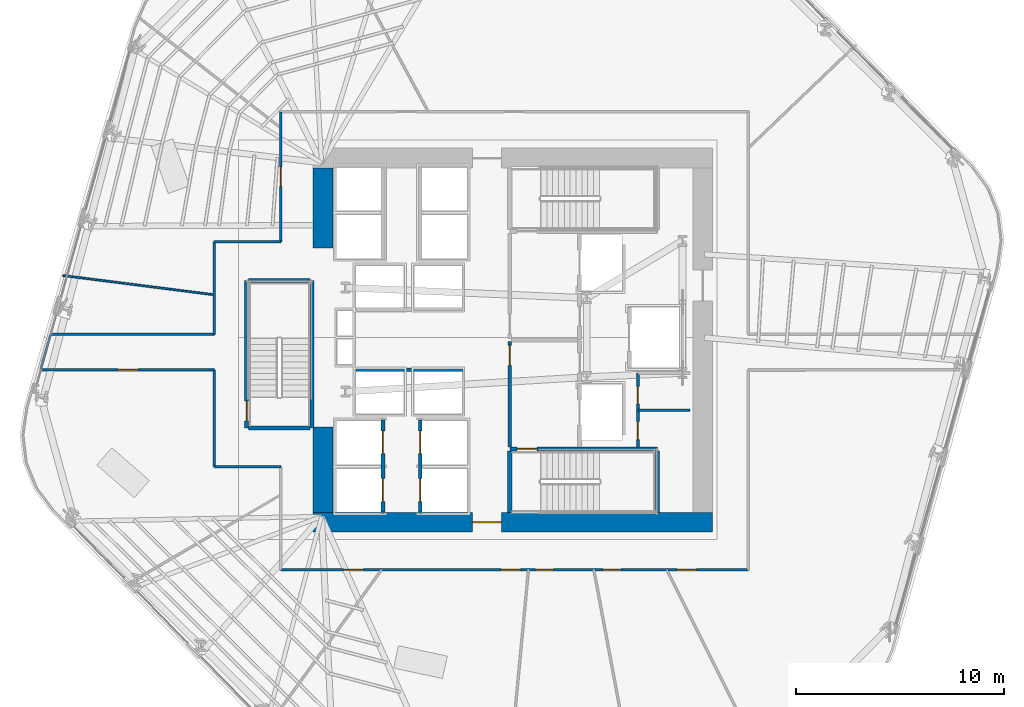
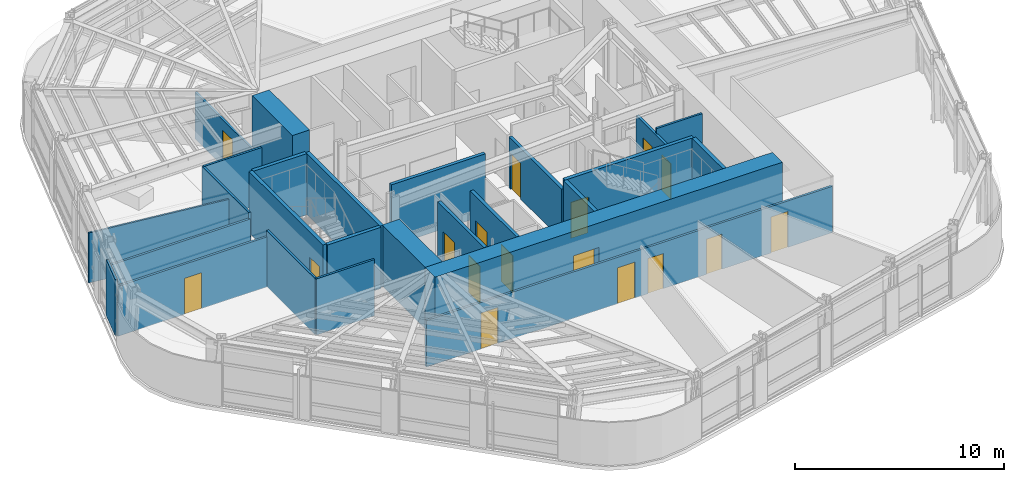
# One storey, part 9 of 17: 26 walls, 17 doors, 17 openings.
"""IFC4 building model written with IfcOpenShell, lengths in metres."""

from ifc_helpers import new_model, si_unit, direction, frame, frame_2d, origin, place, context, subcontext, project, spatial, rectangle, extrude, material, layer, layer_set, type_object, element, fill, save


model = new_model("IFC4")

# Units and contexts
model_context = context("Model", 3, precision=1e-05, world=origin(), true_north=direction((0.0, 1.0)))
body_context = subcontext(model_context, "Body", "Model", "MODEL_VIEW")
ifc_project = project(units=[si_unit("LENGTHUNIT", "METRE"), si_unit("AREAUNIT", "SQUARE_METRE"), si_unit("VOLUMEUNIT", "CUBIC_METRE"), si_unit("PLANEANGLEUNIT", "RADIAN"), si_unit("MASSUNIT", "GRAM", prefix="KILO")], contexts=[model_context])

# Site, building, storey
site_placement = place(None, origin())
site = spatial("IfcSite", under=ifc_project, at=site_placement, CompositionType="ELEMENT")
building_placement = place(site_placement, origin())
building = spatial("IfcBuilding", under=site, at=building_placement, Name="Valkerne Bourse Tower", CompositionType="ELEMENT")
storey_placement = place(building_placement, frame((0.0, 0.0, 85.800048828125)))
storey = spatial("IfcBuildingStorey", under=building, at=storey_placement, Name="L21", CompositionType="ELEMENT", Elevation=85.800048828125)

# Wall, opening, door
ifc_material_1 = material(Name="Concrete C70/85", Category="concrete")
ifc_layer_1 = layer(ifc_material_1, 0.949951171875)
ifc_layer_set_1 = layer_set([ifc_layer_1], Name="Concrete C70/85")
wall_type_1 = type_object("IfcWallType", Name="W-CORE-950", PredefinedType="SHEAR", material=ifc_layer_set_1)
wall_1_placement = place(storey_placement, frame((37.199951171875, 18.125, 0.0), z_axis=(0.0, 0.0, 1.0), x_axis=(1.0, 0.0, 0.0)))
wall_1 = element("IfcWall", 1, at=wall_1_placement, inside=storey, type_object=wall_type_1, Name="L21 Core Shear Wall SOUTH", PredefinedType="SHEAR", context=body_context, shape_type="SweptSolid", body=[
    extrude(rectangle(XDim=19.199951171875, YDim=0.949951171875, at=frame_2d((9.60009765625, 0.0))), origin(), (0.0, 0.0, 1.0), 3.579833984375),
])
opening_1_placement = place(wall_1_placement, frame((7.64990234375, 0.0, 0.0)))
opening_1 = element("IfcOpeningElement", 2, at=opening_1_placement, cuts=wall_1, Name="Opening D-PL-1400", PredefinedType="OPENING", context=body_context, shape_type="SweptSolid", body=[
    extrude(rectangle(XDim=1.39990234375, YDim=2.14990234375, at=frame_2d((0.699951171875, 1.074951171875))), frame((0.0, 0.48486328125, 0.0), z_axis=(0.0, -1.0, 0.0), x_axis=(1.0, 0.0, 0.0)), (0.0, 0.0, 1.0), 0.969970703125),
])
ifc_material_2 = material(Name="Galvanised Painted Steel", Category="steel")
door_type_1 = type_object("IfcDoorType", Name="DR-PLT-1400", OperationType="DOUBLE_DOOR_SINGLE_SWING", PredefinedType="DOOR", material=ifc_material_2)
door_1_placement = place(opening_1_placement, origin())
door_1 = element("IfcDoor", 3, at=door_1_placement, inside=storey, type_object=door_type_1, Name="L21 South Passenger Lift Hall Fire Door", OperationType="DOUBLE_DOOR_SINGLE_SWING", OverallHeight=2.14990234375, OverallWidth=1.39990234375, PredefinedType="DOOR", context=body_context, shape_type="SweptSolid", body=[
    extrude(rectangle(XDim=1.39990234375, YDim=2.14990234375, at=frame_2d((0.699951171875, 1.074951171875))), frame((0.0, 0.02490234375, 0.0), z_axis=(0.0, -1.0, 0.0), x_axis=(1.0, 0.0, 0.0)), (0.0, 0.0, 1.0), 0.050048828125),
])
fill(opening_1, door_1)

# Walls
wall_2_placement = place(storey_placement, frame((37.675048828125, 18.60009765625, 0.0), z_axis=(0.0, 0.0, 1.0), x_axis=(0.0, 1.0, 0.0)))
element("IfcWall", 4, at=wall_2_placement, inside=storey, type_object=wall_type_1, Name="L21 Core Shear Wall WEST-S", PredefinedType="SHEAR", context=body_context, shape_type="SweptSolid", body=[
    extrude(rectangle(XDim=4.099853515625, YDim=0.949951171875, at=frame_2d((2.0498046875, 0.0))), origin(), (0.0, 0.0, 1.0), 3.579833984375),
])
wall_3_placement = place(storey_placement, frame((37.675048828125, 31.300048828125, 0.0), z_axis=(0.0, 0.0, 1.0), x_axis=(0.0, 1.0, 0.0)))
element("IfcWall", 5, at=wall_3_placement, inside=storey, type_object=wall_type_1, Name="L21 Core Shear Wall WEST-N", PredefinedType="SHEAR", context=body_context, shape_type="SweptSolid", body=[
    extrude(rectangle(XDim=3.849853515625, YDim=0.949951171875, at=frame_2d((1.9248046875, 0.0))), origin(), (0.0, 0.0, 1.0), 3.579833984375),
])
ifc_material_3 = material(Name="Gypsum Board Steel-Stud Partition", Category="steel")
ifc_layer_2 = layer(ifc_material_3, 0.117919921875)
ifc_layer_set_2 = layer_set([ifc_layer_2], Name="Gypsum Board Steel-Stud Partition")
wall_type_2 = type_object("IfcWallType", Name="W-CORR-140", PredefinedType="PARTITIONING", material=ifc_layer_set_2)
wall_4_placement = place(storey_placement, frame((52.800048828125, 23.510009765625, 0.0), z_axis=(0.0, 0.0, 1.0), x_axis=(1.0, 0.0, 0.0)))
element("IfcWall", 6, at=wall_4_placement, inside=storey, type_object=wall_type_2, Name="L21 Core SE Dual Divider", PredefinedType="PARTITIONING", context=body_context, shape_type="SweptSolid", body=[
    extrude(rectangle(XDim=2.52001953125, YDim=0.117919921875, at=frame_2d((1.260009765625, 0.0))), origin(), (0.0, 0.0, 1.0), 3.280029296875),
])

# Wall, openings, doors
wall_5_placement = place(storey_placement, frame((58.10009765625, 15.85009765625, 0.0), z_axis=(0.0, 0.0, 1.0), x_axis=(-1.0, 0.0, 0.0)))
wall_5 = element("IfcWall", 7, at=wall_5_placement, inside=storey, type_object=wall_type_2, Name="L21 Corridor Enclosure Wall", PredefinedType="PARTITIONING", context=body_context, shape_type="SweptSolid", body=[
    extrude(rectangle(XDim=22.4501953125, YDim=0.117919921875, at=frame_2d((11.22509765625, 0.0))), origin(), (0.0, 0.0, 1.0), 2.71142578125),
])
opening_2_placement = place(wall_5_placement, frame((6.114990234375, 0.0, 0.0)))
opening_2 = element("IfcOpeningElement", 8, at=opening_2_placement, cuts=wall_5, Name="Opening D-WC-900", PredefinedType="OPENING", context=body_context, shape_type="SweptSolid", body=[
    extrude(rectangle(XDim=0.860107421875, YDim=2.050048828125, at=frame_2d((0.43017578125, 1.02490234375))), frame((0.0, 0.06884765625, 0.0), z_axis=(0.0, -1.0, 0.0), x_axis=(1.0, 0.0, 0.0)), (0.0, 0.0, 1.0), 0.137939453125),
])
opening_3_placement = place(wall_5_placement, frame((9.35498046875, 0.0, 0.0)))
opening_3 = element("IfcOpeningElement", 9, at=opening_3_placement, cuts=wall_5, Name="Opening D-WC-900", PredefinedType="OPENING", context=body_context, shape_type="SweptSolid", body=[
    extrude(rectangle(XDim=0.860107421875, YDim=2.050048828125, at=frame_2d((0.43017578125, 1.02490234375))), frame((0.0, 0.06884765625, 0.0), z_axis=(0.0, -1.0, 0.0), x_axis=(1.0, 0.0, 0.0)), (0.0, 0.0, 1.0), 0.137939453125),
])
opening_4_placement = place(wall_5_placement, frame((18.489990234375, 0.0, 0.0)))
opening_4 = element("IfcOpeningElement", 10, at=opening_4_placement, cuts=wall_5, Name="Opening D-OF-950", PredefinedType="OPENING", context=body_context, shape_type="SweptSolid", body=[
    extrude(rectangle(XDim=0.949951171875, YDim=2.10009765625, at=frame_2d((0.47509765625, 1.050048828125))), frame((0.0, 0.06884765625, 0.0), z_axis=(0.0, -1.0, 0.0), x_axis=(1.0, 0.0, 0.0)), (0.0, 0.0, 1.0), 0.137939453125),
])
opening_5_placement = place(wall_5_placement, frame((10.929931640625, 0.0, 0.0)))
opening_5 = element("IfcOpeningElement", 11, at=opening_5_placement, cuts=wall_5, Name="Opening D-OF-950", PredefinedType="OPENING", context=body_context, shape_type="SweptSolid", body=[
    extrude(rectangle(XDim=0.949951171875, YDim=2.10009765625, at=frame_2d((0.47509765625, 1.050048828125))), frame((0.0, 0.06884765625, 0.0), z_axis=(0.0, -1.0, 0.0), x_axis=(1.0, 0.0, 0.0)), (0.0, 0.0, 1.0), 0.137939453125),
])
opening_6_placement = place(wall_5_placement, frame((2.469970703125, 0.0, 0.0)))
opening_6 = element("IfcOpeningElement", 12, at=opening_6_placement, cuts=wall_5, Name="Opening D-OF-950", PredefinedType="OPENING", context=body_context, shape_type="SweptSolid", body=[
    extrude(rectangle(XDim=0.949951171875, YDim=2.10009765625, at=frame_2d((0.47509765625, 1.050048828125))), frame((0.0, 0.06884765625, 0.0), z_axis=(0.0, -1.0, 0.0), x_axis=(1.0, 0.0, 0.0)), (0.0, 0.0, 1.0), 0.137939453125),
])
ifc_material_4 = material(Name="Architectural White Oak Timber", Category="wood")
door_type_2 = type_object("IfcDoorType", Name="DR-OFF-950", OperationType="NOTDEFINED", PredefinedType="DOOR", material=ifc_material_4)
door_2_placement = place(opening_4_placement, origin())
door_2 = element("IfcDoor", 13, at=door_2_placement, inside=storey, type_object=door_type_2, Name="L21 L21 Hospitality Catering Kitchen 3 Door", OperationType="SINGLE_SWING_LEFT", OverallHeight=2.10009765625, OverallWidth=0.949951171875, PredefinedType="DOOR", context=body_context, shape_type="SweptSolid", body=[
    extrude(rectangle(XDim=0.949951171875, YDim=2.10009765625, at=frame_2d((0.47509765625, 1.050048828125))), frame((0.0, 0.02490234375, 0.0), z_axis=(0.0, -1.0, 0.0), x_axis=(1.0, 0.0, 0.0)), (0.0, 0.0, 1.0), 0.050048828125),
])
fill(opening_4, door_2)
door_3_placement = place(opening_5_placement, origin())
door_3 = element("IfcDoor", 14, at=door_3_placement, inside=storey, type_object=door_type_2, Name="L21 L21 Executive Economics Study Room 7 Door", OperationType="SINGLE_SWING_LEFT", OverallHeight=2.10009765625, OverallWidth=0.949951171875, PredefinedType="DOOR", context=body_context, shape_type="SweptSolid", body=[
    extrude(rectangle(XDim=0.949951171875, YDim=2.10009765625, at=frame_2d((0.47509765625, 1.050048828125))), frame((0.0, 0.02490234375, 0.0), z_axis=(0.0, -1.0, 0.0), x_axis=(1.0, 0.0, 0.0)), (0.0, 0.0, 1.0), 0.050048828125),
])
fill(opening_5, door_3)
door_4_placement = place(opening_6_placement, origin())
door_4 = element("IfcDoor", 15, at=door_4_placement, inside=storey, type_object=door_type_2, Name="L21 L21 Occupational Wellness Clinic 9 Door", OperationType="SINGLE_SWING_RIGHT", OverallHeight=2.10009765625, OverallWidth=0.949951171875, PredefinedType="DOOR", context=body_context, shape_type="SweptSolid", body=[
    extrude(rectangle(XDim=0.949951171875, YDim=2.10009765625, at=frame_2d((0.47509765625, 1.050048828125))), frame((0.0, 0.02490234375, 0.0), z_axis=(0.0, -1.0, 0.0), x_axis=(1.0, 0.0, 0.0)), (0.0, 0.0, 1.0), 0.050048828125),
])
fill(opening_6, door_4)
door_type_3 = type_object("IfcDoorType", Name="DR-WC-900", OperationType="NOTDEFINED", PredefinedType="DOOR", material=ifc_material_4)
door_5_placement = place(opening_2_placement, origin())
door_5 = element("IfcDoor", 16, at=door_5_placement, inside=storey, type_object=door_type_3, Name="L21 L21 Men Bathroom WC 1 Door", OperationType="SINGLE_SWING_RIGHT", OverallHeight=2.050048828125, OverallWidth=0.860107421875, PredefinedType="DOOR", context=body_context, shape_type="SweptSolid", body=[
    extrude(rectangle(XDim=0.860107421875, YDim=2.050048828125, at=frame_2d((0.43017578125, 1.02490234375))), frame((0.0, 0.02490234375, 0.0), z_axis=(0.0, -1.0, 0.0), x_axis=(1.0, 0.0, 0.0)), (0.0, 0.0, 1.0), 0.050048828125),
])
fill(opening_2, door_5)
door_6_placement = place(opening_3_placement, origin())
door_6 = element("IfcDoor", 17, at=door_6_placement, inside=storey, type_object=door_type_3, Name="L21 L21 Women Restroom & Shower WC 2 Door", OperationType="SINGLE_SWING_LEFT", OverallHeight=2.050048828125, OverallWidth=0.860107421875, PredefinedType="DOOR", context=body_context, shape_type="SweptSolid", body=[
    extrude(rectangle(XDim=0.860107421875, YDim=2.050048828125, at=frame_2d((0.43017578125, 1.02490234375))), frame((0.0, 0.02490234375, 0.0), z_axis=(0.0, -1.0, 0.0), x_axis=(1.0, 0.0, 0.0)), (0.0, 0.0, 1.0), 0.050048828125),
])
fill(opening_3, door_6)

# Walls
wall_6_placement = place(storey_placement, frame((35.64990234375, 20.800048828125, 0.0), z_axis=(0.0, 0.0, 1.0), x_axis=(-1.0, 0.0, 0.0)))
element("IfcWall", 18, at=wall_6_placement, inside=storey, type_object=wall_type_2, Name="L21 Corridor Enclosure Wall", PredefinedType="PARTITIONING", context=body_context, shape_type="SweptSolid", body=[
    extrude(rectangle(XDim=3.199951171875, YDim=0.117919921875, at=frame_2d((1.60009765625, 0.0))), origin(), (0.0, 0.0, 1.0), 3.280029296875),
])
wall_7_placement = place(storey_placement, frame((32.449951171875, 20.800048828125, 0.0), z_axis=(0.0, 0.0, 1.0), x_axis=(0.0, 1.0, 0.0)))
element("IfcWall", 19, at=wall_7_placement, inside=storey, type_object=wall_type_2, Name="L21 Corridor Enclosure Wall", PredefinedType="PARTITIONING", context=body_context, shape_type="SweptSolid", body=[
    extrude(rectangle(XDim=4.64990234375, YDim=0.117919921875, at=frame_2d((2.324951171875, 0.0))), origin(), (0.0, 0.0, 1.0), 3.280029296875),
])

# Wall, opening, door
wall_8_placement = place(storey_placement, frame((32.449951171875, 25.449951171875, 0.0), z_axis=(0.0, 0.0, 1.0), x_axis=(-1.0, 0.0, 0.0)))
wall_8 = element("IfcWall", 20, at=wall_8_placement, inside=storey, type_object=wall_type_2, Name="L21 Corridor Enclosure Wall", PredefinedType="PARTITIONING", context=body_context, shape_type="SweptSolid", body=[
    extrude(rectangle(XDim=8.301025390625, YDim=0.117919921875, at=frame_2d((4.150390625, 0.0))), origin(), (0.0, 0.0, 1.0), 2.92236328125),
])
opening_7_placement = place(wall_8_placement, frame((3.675537109375, 0.0, 0.0)))
opening_7 = element("IfcOpeningElement", 21, at=opening_7_placement, cuts=wall_8, Name="Opening D-OF-950", PredefinedType="OPENING", context=body_context, shape_type="SweptSolid", body=[
    extrude(rectangle(XDim=0.949951171875, YDim=2.10009765625, at=frame_2d((0.47509765625, 1.050048828125))), frame((0.0, 0.06884765625, 0.0), z_axis=(0.0, -1.0, 0.0), x_axis=(1.0, 0.0, 0.0)), (0.0, 0.0, 1.0), 0.137939453125),
])
door_7_placement = place(opening_7_placement, origin())
door_7 = element("IfcDoor", 22, at=door_7_placement, inside=storey, type_object=door_type_2, Name="L21 L21 Exchange Security Control Room 6 Door", OperationType="SINGLE_SWING_LEFT", OverallHeight=2.10009765625, OverallWidth=0.949951171875, PredefinedType="DOOR", context=body_context, shape_type="SweptSolid", body=[
    extrude(rectangle(XDim=0.949951171875, YDim=2.10009765625, at=frame_2d((0.47509765625, 1.050048828125))), frame((0.0, 0.02490234375, 0.0), z_axis=(0.0, -1.0, 0.0), x_axis=(1.0, 0.0, 0.0)), (0.0, 0.0, 1.0), 0.050048828125),
])
fill(opening_7, door_7)

# Walls
wall_9_placement = place(storey_placement, frame((24.1162109375, 25.493408203125, 0.0), z_axis=(0.0, 0.0, 1.0), x_axis=(0.273072838817, 0.961993360008, 0.0)))
element("IfcWall", 23, at=wall_9_placement, inside=storey, type_object=wall_type_2, Name="L21 Corridor Enclosure Wall", PredefinedType="PARTITIONING", context=body_context, shape_type="SweptSolid", body=[
    extrude(rectangle(XDim=1.721923828125, YDim=0.117919921875, at=frame_2d((0.86083984375, 0.0))), origin(), (0.0, 0.0, 1.0), 3.280029296875),
])
wall_10_placement = place(storey_placement, frame((24.58642578125, 27.14990234375, 0.0), z_axis=(0.0, 0.0, 1.0), x_axis=(1.0, 0.0, 0.0)))
element("IfcWall", 24, at=wall_10_placement, inside=storey, type_object=wall_type_2, Name="L21 Corridor Enclosure Wall", PredefinedType="PARTITIONING", context=body_context, shape_type="SweptSolid", body=[
    extrude(rectangle(XDim=7.863525390625, YDim=0.117919921875, at=frame_2d((3.931640625, 0.0))), origin(), (0.0, 0.0, 1.0), 2.92236328125),
])
wall_11_placement = place(storey_placement, frame((32.449951171875, 27.14990234375, 0.0), z_axis=(0.0, 0.0, 1.0), x_axis=(0.0, 1.0, 0.0)))
element("IfcWall", 25, at=wall_11_placement, inside=storey, type_object=wall_type_2, Name="L21 Corridor Enclosure Wall", PredefinedType="PARTITIONING", context=body_context, shape_type="SweptSolid", body=[
    extrude(rectangle(XDim=4.4501953125, YDim=0.117919921875, at=frame_2d((2.22509765625, 0.0))), origin(), (0.0, 0.0, 1.0), 3.280029296875),
])
wall_12_placement = place(storey_placement, frame((32.449951171875, 31.60009765625, 0.0), z_axis=(0.0, 0.0, 1.0), x_axis=(1.0, 0.0, 0.0)))
element("IfcWall", 26, at=wall_12_placement, inside=storey, type_object=wall_type_2, Name="L21 Corridor Enclosure Wall", PredefinedType="PARTITIONING", context=body_context, shape_type="SweptSolid", body=[
    extrude(rectangle(XDim=3.199951171875, YDim=0.117919921875, at=frame_2d((1.60009765625, 0.0))), origin(), (0.0, 0.0, 1.0), 3.280029296875),
])

# Wall, opening, door
wall_13_placement = place(storey_placement, frame((35.64990234375, 31.60009765625, 0.0), z_axis=(0.0, 0.0, 1.0), x_axis=(0.0, 1.0, 0.0)))
wall_13 = element("IfcWall", 27, at=wall_13_placement, inside=storey, type_object=wall_type_2, Name="L21 Corridor Enclosure Wall", PredefinedType="PARTITIONING", context=body_context, shape_type="SweptSolid", body=[
    extrude(rectangle(XDim=6.25, YDim=0.117919921875, at=frame_2d((3.125, 0.0))), origin(), (0.0, 0.0, 1.0), 2.71142578125),
])
opening_8_placement = place(wall_13_placement, frame((2.64990234375, 0.0, 0.0)))
opening_8 = element("IfcOpeningElement", 28, at=opening_8_placement, cuts=wall_13, Name="Opening D-OF-950", PredefinedType="OPENING", context=body_context, shape_type="SweptSolid", body=[
    extrude(rectangle(XDim=0.949951171875, YDim=2.10009765625, at=frame_2d((0.47509765625, 1.050048828125))), frame((0.0, 0.06884765625, 0.0), z_axis=(0.0, -1.0, 0.0), x_axis=(1.0, 0.0, 0.0)), (0.0, 0.0, 1.0), 0.137939453125),
])
door_8_placement = place(opening_8_placement, origin())
door_8 = element("IfcDoor", 29, at=door_8_placement, inside=storey, type_object=door_type_2, Name="L21 L21 Exchange Security Control Room 5 Door", OperationType="SINGLE_SWING_LEFT", OverallHeight=2.10009765625, OverallWidth=0.949951171875, PredefinedType="DOOR", context=body_context, shape_type="SweptSolid", body=[
    extrude(rectangle(XDim=0.949951171875, YDim=2.10009765625, at=frame_2d((0.47509765625, 1.050048828125))), frame((0.0, 0.02490234375, 0.0), z_axis=(0.0, -1.0, 0.0), x_axis=(1.0, 0.0, 0.0)), (0.0, 0.0, 1.0), 0.050048828125),
])
fill(opening_8, door_8)

ifc_material_5 = material(Name="Gypsum Fire-Rated Shaftwall", Category="gypsum")
ifc_layer_3 = layer(ifc_material_5, 0.179931640625)
ifc_layer_set_3 = layer_set([ifc_layer_3], Name="Gypsum Fire-Rated Shaftwall")
wall_type_3 = type_object("IfcWallType", Name="W-FSAE-180", PredefinedType="PARTITIONING", material=ifc_layer_set_3)
wall_14_placement = place(storey_placement, frame((46.64990234375, 21.75, 0.0), z_axis=(0.0, 0.0, 1.0), x_axis=(0.0, 1.0, 0.0)))
wall_14 = element("IfcWall", 30, at=wall_14_placement, inside=storey, type_object=wall_type_3, Name="L21 FSAE-1 Lobby West Fire Wall", PredefinedType="PARTITIONING", context=body_context, shape_type="SweptSolid", body=[
    extrude(rectangle(XDim=5.050048828125, YDim=0.179931640625, at=frame_2d((2.52490234375, 0.0))), origin(), (0.0, 0.0, 1.0), 2.957763671875),
])
opening_9_placement = place(wall_14_placement, frame((3.919921875, 0.0, 0.0)))
opening_9 = element("IfcOpeningElement", 31, at=opening_9_placement, cuts=wall_14, Name="Opening D-FS-950", PredefinedType="OPENING", context=body_context, shape_type="SweptSolid", body=[
    extrude(rectangle(XDim=0.949951171875, YDim=2.10009765625, at=frame_2d((0.47509765625, 1.050048828125))), frame((0.0, 0.099853515625, 0.0), z_axis=(0.0, -1.0, 0.0), x_axis=(1.0, 0.0, 0.0)), (0.0, 0.0, 1.0), 0.199951171875),
])
door_type_4 = type_object("IfcDoorType", Name="DR-FSAE-950", OperationType="NOTDEFINED", PredefinedType="DOOR", material=ifc_material_2)
door_9_placement = place(opening_9_placement, origin())
door_9 = element("IfcDoor", 32, at=door_9_placement, inside=storey, type_object=door_type_4, Name="L21 FSAE-1 Hall Link Fire Door", OperationType="SINGLE_SWING_RIGHT", OverallHeight=2.10009765625, OverallWidth=0.949951171875, PredefinedType="DOOR", context=body_context, shape_type="SweptSolid", body=[
    extrude(rectangle(XDim=0.949951171875, YDim=2.10009765625, at=frame_2d((0.47509765625, 1.050048828125))), frame((0.0, 0.02490234375, 0.0), z_axis=(0.0, -1.0, 0.0), x_axis=(1.0, 0.0, 0.0)), (0.0, 0.0, 1.0), 0.050048828125),
])
fill(opening_9, door_9)

# Wall, openings, doors
ifc_material_6 = material(Name="CMU Blockwork Masonry 200mm", Category="masonry")
ifc_layer_4 = layer(ifc_material_6, 0.179931640625)
ifc_layer_set_4 = layer_set([ifc_layer_4], Name="CMU Blockwork Masonry 200mm")
wall_type_4 = type_object("IfcWallType", Name="W-LFT-180", PredefinedType="SOLIDWALL", material=ifc_layer_set_4)
wall_15_placement = place(storey_placement, frame((40.550048828125, 18.6201171875, 0.0), z_axis=(0.0, 0.0, 1.0), x_axis=(0.0, 1.0, 0.0)))
wall_15 = element("IfcWall", 33, at=wall_15_placement, inside=storey, type_object=wall_type_4, Name="L21 Low-Zone West Cars Front Wall", PredefinedType="SOLIDWALL", context=body_context, shape_type="SweptSolid", body=[
    extrude(rectangle(XDim=4.429931640625, YDim=0.179931640625, at=frame_2d((2.21484375, 0.0))), origin(), (0.0, 0.0, 1.0), 3.579833984375),
])
opening_10_placement = place(wall_15_placement, frame((0.5, 0.0, 0.0)))
opening_10 = element("IfcOpeningElement", 34, at=opening_10_placement, cuts=wall_15, Name="Opening LD-1100", PredefinedType="OPENING", context=body_context, shape_type="SweptSolid", body=[
    extrude(rectangle(XDim=1.10009765625, YDim=2.14990234375, at=frame_2d((0.550048828125, 1.074951171875))), frame((0.0, 0.099853515625, 0.0), z_axis=(0.0, -1.0, 0.0), x_axis=(1.0, 0.0, 0.0)), (0.0, 0.0, 1.0), 0.199951171875),
])
opening_11_placement = place(wall_15_placement, frame((2.800048828125, 0.0, 0.0)))
opening_11 = element("IfcOpeningElement", 35, at=opening_11_placement, cuts=wall_15, Name="Opening LD-1100", PredefinedType="OPENING", context=body_context, shape_type="SweptSolid", body=[
    extrude(rectangle(XDim=1.10009765625, YDim=2.14990234375, at=frame_2d((0.550048828125, 1.074951171875))), frame((0.0, 0.099853515625, 0.0), z_axis=(0.0, -1.0, 0.0), x_axis=(1.0, 0.0, 0.0)), (0.0, 0.0, 1.0), 0.199951171875),
])
ifc_material_7 = material(Name="Stainless Steel AISI 316", Category="steel")
door_type_5 = type_object("IfcDoorType", Name="DR-LIFT-1100", OperationType="DOUBLE_DOOR_SLIDING", PredefinedType="DOOR", material=ifc_material_7)
door_10_placement = place(opening_10_placement, origin())
door_10 = element("IfcDoor", 36, at=door_10_placement, inside=storey, type_object=door_type_5, Name="L21 Passenger Lift PL-L1 Sliding Landing Door", OperationType="DOUBLE_DOOR_SLIDING", OverallHeight=2.14990234375, OverallWidth=1.10009765625, PredefinedType="DOOR", context=body_context, shape_type="SweptSolid", body=[
    extrude(rectangle(XDim=1.10009765625, YDim=2.14990234375, at=frame_2d((0.550048828125, 1.074951171875))), frame((0.0, 0.02490234375, 0.0), z_axis=(0.0, -1.0, 0.0), x_axis=(1.0, 0.0, 0.0)), (0.0, 0.0, 1.0), 0.050048828125),
])
fill(opening_10, door_10)
door_11_placement = place(opening_11_placement, origin())
door_11 = element("IfcDoor", 37, at=door_11_placement, inside=storey, type_object=door_type_5, Name="L21 Passenger Lift PL-L2 Sliding Landing Door", OperationType="DOUBLE_DOOR_SLIDING", OverallHeight=2.14990234375, OverallWidth=1.10009765625, PredefinedType="DOOR", context=body_context, shape_type="SweptSolid", body=[
    extrude(rectangle(XDim=1.10009765625, YDim=2.14990234375, at=frame_2d((0.550048828125, 1.074951171875))), frame((0.0, 0.02490234375, 0.0), z_axis=(0.0, -1.0, 0.0), x_axis=(1.0, 0.0, 0.0)), (0.0, 0.0, 1.0), 0.050048828125),
])
fill(opening_11, door_11)

wall_16_placement = place(storey_placement, frame((42.35009765625, 18.6201171875, 0.0), z_axis=(0.0, 0.0, 1.0), x_axis=(0.0, 1.0, 0.0)))
wall_16 = element("IfcWall", 38, at=wall_16_placement, inside=storey, type_object=wall_type_4, Name="L21 Low-Zone East Cars Front Wall", PredefinedType="SOLIDWALL", context=body_context, shape_type="SweptSolid", body=[
    extrude(rectangle(XDim=4.429931640625, YDim=0.179931640625, at=frame_2d((2.21484375, 0.0))), origin(), (0.0, 0.0, 1.0), 3.579833984375),
])
opening_12_placement = place(wall_16_placement, frame((0.5, 0.0, 0.0)))
opening_12 = element("IfcOpeningElement", 39, at=opening_12_placement, cuts=wall_16, Name="Opening LD-1100", PredefinedType="OPENING", context=body_context, shape_type="SweptSolid", body=[
    extrude(rectangle(XDim=1.10009765625, YDim=2.14990234375, at=frame_2d((0.550048828125, 1.074951171875))), frame((0.0, 0.099853515625, 0.0), z_axis=(0.0, -1.0, 0.0), x_axis=(1.0, 0.0, 0.0)), (0.0, 0.0, 1.0), 0.199951171875),
])
opening_13_placement = place(wall_16_placement, frame((2.800048828125, 0.0, 0.0)))
opening_13 = element("IfcOpeningElement", 40, at=opening_13_placement, cuts=wall_16, Name="Opening LD-1100", PredefinedType="OPENING", context=body_context, shape_type="SweptSolid", body=[
    extrude(rectangle(XDim=1.10009765625, YDim=2.14990234375, at=frame_2d((0.550048828125, 1.074951171875))), frame((0.0, 0.099853515625, 0.0), z_axis=(0.0, -1.0, 0.0), x_axis=(1.0, 0.0, 0.0)), (0.0, 0.0, 1.0), 0.199951171875),
])
door_12_placement = place(opening_12_placement, origin())
door_12 = element("IfcDoor", 41, at=door_12_placement, inside=storey, type_object=door_type_5, Name="L21 Passenger Lift PL-L3 Sliding Landing Door", OperationType="DOUBLE_DOOR_SLIDING", OverallHeight=2.14990234375, OverallWidth=1.10009765625, PredefinedType="DOOR", context=body_context, shape_type="SweptSolid", body=[
    extrude(rectangle(XDim=1.10009765625, YDim=2.14990234375, at=frame_2d((0.550048828125, 1.074951171875))), frame((0.0, 0.02490234375, 0.0), z_axis=(0.0, -1.0, 0.0), x_axis=(1.0, 0.0, 0.0)), (0.0, 0.0, 1.0), 0.050048828125),
])
fill(opening_12, door_12)
door_13_placement = place(opening_13_placement, origin())
door_13 = element("IfcDoor", 42, at=door_13_placement, inside=storey, type_object=door_type_5, Name="L21 Passenger Lift PL-L4 Sliding Landing Door", OperationType="DOUBLE_DOOR_SLIDING", OverallHeight=2.14990234375, OverallWidth=1.10009765625, PredefinedType="DOOR", context=body_context, shape_type="SweptSolid", body=[
    extrude(rectangle(XDim=1.10009765625, YDim=2.14990234375, at=frame_2d((0.550048828125, 1.074951171875))), frame((0.0, 0.02490234375, 0.0), z_axis=(0.0, -1.0, 0.0), x_axis=(1.0, 0.0, 0.0)), (0.0, 0.0, 1.0), 0.050048828125),
])
fill(opening_13, door_13)

# Walls
wall_17_placement = place(storey_placement, frame((39.25, 25.449951171875, 0.0), z_axis=(0.0, 0.0, 1.0), x_axis=(1.0, 0.0, 0.0)))
element("IfcWall", 43, at=wall_17_placement, inside=storey, type_object=wall_type_4, Name="L21 High-Zone South Cars Front Wall", PredefinedType="SOLIDWALL", context=body_context, shape_type="SweptSolid", body=[
    extrude(rectangle(XDim=5.199951171875, YDim=0.179931640625, at=frame_2d((2.60009765625, 0.0))), origin(), (0.0, 0.0, 1.0), 3.579833984375),
])
ifc_layer_5 = layer(ifc_material_3, 0.092041015625)
ifc_layer_set_5 = layer_set([ifc_layer_5], Name="Gypsum Board Steel-Stud Partition")
wall_type_5 = type_object("IfcWallType", Name="W-PART-115", PredefinedType="PARTITIONING", material=ifc_layer_set_5)
wall_18_placement = place(storey_placement, frame((32.445068359375, 29.056640625, 0.0), z_axis=(0.0, 0.0, 1.0), x_axis=(-0.991991996219, 0.126300749947, 0.0)))
element("IfcWall", 44, at=wall_18_placement, inside=storey, type_object=wall_type_5, Name="L21 Suite Partition P07", PredefinedType="PARTITIONING", context=body_context, shape_type="SweptSolid", body=[
    extrude(rectangle(XDim=7.331787109375, YDim=0.092041015625, at=frame_2d((3.666015625, 0.0))), origin(), (0.0, 0.0, 1.0), 2.92236328125),
])

# Wall, opening, door
ifc_material_8 = material(Name="Concrete C40/50", Category="concrete")
ifc_layer_6 = layer(ifc_material_8, 0.199951171875)
ifc_layer_set_6 = layer_set([ifc_layer_6], Name="Concrete C40/50")
wall_type_6 = type_object("IfcWallType", Name="W-SHF-200", PredefinedType="SHEAR", material=ifc_layer_set_6)
wall_19_placement = place(storey_placement, frame((46.64990234375, 21.64990234375, 0.0), z_axis=(0.0, 0.0, 1.0), x_axis=(1.0, 0.0, 0.0)))
wall_19 = element("IfcWall", 45, at=wall_19_placement, inside=storey, type_object=wall_type_6, Name="L21 Exit Stair ST-1 Structural Shaft Wall North", PredefinedType="SHEAR", context=body_context, shape_type="SweptSolid", body=[
    extrude(rectangle(XDim=7.10009765625, YDim=0.199951171875, at=frame_2d((3.550048828125, 0.0))), origin(), (0.0, 0.0, 1.0), 3.579833984375),
])
opening_14_placement = place(wall_19_placement, frame((0.35009765625, 0.0, 0.0)))
opening_14 = element("IfcOpeningElement", 46, at=opening_14_placement, cuts=wall_19, Name="Opening D-ST-950", PredefinedType="OPENING", context=body_context, shape_type="SweptSolid", body=[
    extrude(rectangle(XDim=0.949951171875, YDim=2.10009765625, at=frame_2d((0.47509765625, 1.050048828125))), frame((0.0, 0.10986328125, 0.0), z_axis=(0.0, -1.0, 0.0), x_axis=(1.0, 0.0, 0.0)), (0.0, 0.0, 1.0), 0.219970703125),
])
door_type_6 = type_object("IfcDoorType", Name="DR-STAIR-950", OperationType="NOTDEFINED", PredefinedType="DOOR", material=ifc_material_2)
door_14_placement = place(opening_14_placement, origin())
door_14 = element("IfcDoor", 47, at=door_14_placement, inside=storey, type_object=door_type_6, Name="L21 Exit Stair ST-1 Door", OperationType="SINGLE_SWING_LEFT", OverallHeight=2.10009765625, OverallWidth=0.949951171875, PredefinedType="DOOR", context=body_context, shape_type="SweptSolid", body=[
    extrude(rectangle(XDim=0.949951171875, YDim=2.10009765625, at=frame_2d((0.47509765625, 1.050048828125))), frame((0.0, 0.02490234375, 0.0), z_axis=(0.0, -1.0, 0.0), x_axis=(1.0, 0.0, 0.0)), (0.0, 0.0, 1.0), 0.050048828125),
])
fill(opening_14, door_14)

# Walls
for number, where, z_axis, x_axis, name in (
    (48, (46.64990234375, 18.60009765625, 0.0), (0.0, 0.0, 1.0), (0.0, 1.0, 0.0), "L21 Exit Stair ST-1 Structural Shaft Wall West"),
    (49, (53.75, 18.60009765625, 0.0), (0.0, 0.0, 1.0), (0.0, 1.0, 0.0), "L21 Exit Stair ST-1 Structural Shaft Wall East"),
):
    element("IfcWall", number, at=place(storey_placement, frame(where, z_axis=z_axis, x_axis=x_axis)), inside=storey, type_object=wall_type_6, Name=name, PredefinedType="SHEAR", context=body_context, shape_type="SweptSolid", body=[
        extrude(rectangle(XDim=2.949951171875, YDim=0.199951171875, at=frame_2d((1.47509765625, 0.0))), origin(), (0.0, 0.0, 1.0), 3.579833984375),
    ])

# Wall, opening, door
wall_20_placement = place(storey_placement, frame((34.0, 22.64990234375, 0.0), z_axis=(0.0, 0.0, 1.0), x_axis=(0.0, 1.0, 0.0)))
wall_20 = element("IfcWall", 50, at=wall_20_placement, inside=storey, type_object=wall_type_6, Name="L21 Exit Stair ST-3 Structural Shaft Wall West", PredefinedType="SHEAR", context=body_context, shape_type="SweptSolid", body=[
    extrude(rectangle(XDim=7.10009765625, YDim=0.199951171875, at=frame_2d((3.550048828125, 0.0))), origin(), (0.0, 0.0, 1.0), 3.579833984375),
])
opening_15_placement = place(wall_20_placement, frame((0.35009765625, 0.0, 0.0)))
opening_15 = element("IfcOpeningElement", 51, at=opening_15_placement, cuts=wall_20, Name="Opening D-ST-950", PredefinedType="OPENING", context=body_context, shape_type="SweptSolid", body=[
    extrude(rectangle(XDim=0.949951171875, YDim=2.10009765625, at=frame_2d((0.47509765625, 1.050048828125))), frame((0.0, 0.10986328125, 0.0), z_axis=(0.0, -1.0, 0.0), x_axis=(1.0, 0.0, 0.0)), (0.0, 0.0, 1.0), 0.219970703125),
])
door_15_placement = place(opening_15_placement, origin())
door_15 = element("IfcDoor", 52, at=door_15_placement, inside=storey, type_object=door_type_6, Name="L21 Exit Stair ST-3 Door", OperationType="SINGLE_SWING_RIGHT", OverallHeight=2.10009765625, OverallWidth=0.949951171875, PredefinedType="DOOR", context=body_context, shape_type="SweptSolid", body=[
    extrude(rectangle(XDim=0.949951171875, YDim=2.10009765625, at=frame_2d((0.47509765625, 1.050048828125))), frame((0.0, 0.02490234375, 0.0), z_axis=(0.0, -1.0, 0.0), x_axis=(1.0, 0.0, 0.0)), (0.0, 0.0, 1.0), 0.050048828125),
])
fill(opening_15, door_15)

# Walls
for number, where, z_axis, x_axis, name in (
    (53, (34.10009765625, 22.64990234375, 0.0), (0.0, 0.0, 1.0), (1.0, 0.0, 0.0), "L21 Exit Stair ST-3 Structural Shaft Wall South"),
    (54, (34.10009765625, 29.75, 0.0), (0.0, 0.0, 1.0), (1.0, 0.0, 0.0), "L21 Exit Stair ST-3 Structural Shaft Wall North"),
):
    element("IfcWall", number, at=place(storey_placement, frame(where, z_axis=z_axis, x_axis=x_axis)), inside=storey, type_object=wall_type_6, Name=name, PredefinedType="SHEAR", context=body_context, shape_type="SweptSolid", body=[
        extrude(rectangle(XDim=2.949951171875, YDim=0.199951171875, at=frame_2d((1.47509765625, 0.0))), origin(), (0.0, 0.0, 1.0), 3.579833984375),
    ])
wall_21_placement = place(storey_placement, frame((37.14990234375, 22.64990234375, 0.0), z_axis=(0.0, 0.0, 1.0), x_axis=(0.0, 1.0, 0.0)))
element("IfcWall", 55, at=wall_21_placement, inside=storey, type_object=wall_type_6, Name="L21 Exit Stair ST-3 Structural Shaft Wall East", PredefinedType="SHEAR", context=body_context, shape_type="SweptSolid", body=[
    extrude(rectangle(XDim=7.10009765625, YDim=0.199951171875, at=frame_2d((3.550048828125, 0.0))), origin(), (0.0, 0.0, 1.0), 3.579833984375),
])

# Wall, openings, doors
ifc_material_9 = material(Name="Moisture-Resistant Gypsum Partition", Category="gypsum")
ifc_layer_7 = layer(ifc_material_9, 0.139892578125)
ifc_layer_set_7 = layer_set([ifc_layer_7], Name="Moisture-Resistant Gypsum Partition")
wall_type_7 = type_object("IfcWallType", Name="W-WET-140", PredefinedType="PARTITIONING", material=ifc_layer_set_7)
wall_22_placement = place(storey_placement, frame((52.800048828125, 21.75, 0.0), z_axis=(0.0, 0.0, 1.0), x_axis=(0.0, 1.0, 0.0)))
wall_22 = element("IfcWall", 56, at=wall_22_placement, inside=storey, type_object=wall_type_7, Name="L21 Core SE Dual West Wall", PredefinedType="PARTITIONING", context=body_context, shape_type="SweptSolid", body=[
    extrude(rectangle(XDim=3.550048828125, YDim=0.139892578125, at=frame_2d((1.77490234375, 0.0))), origin(), (0.0, 0.0, 1.0), 2.957763671875),
])
opening_16_placement = place(wall_22_placement, frame((0.35009765625, 0.0, 0.0)))
opening_16 = element("IfcOpeningElement", 57, at=opening_16_placement, cuts=wall_22, Name="Opening D-WC-900", PredefinedType="OPENING", context=body_context, shape_type="SweptSolid", body=[
    extrude(rectangle(XDim=0.860107421875, YDim=2.050048828125, at=frame_2d((0.43017578125, 1.02490234375))), frame((0.0, 0.079833984375, 0.0), z_axis=(0.0, -1.0, 0.0), x_axis=(1.0, 0.0, 0.0)), (0.0, 0.0, 1.0), 0.159912109375),
])
opening_17_placement = place(wall_22_placement, frame((2.050048828125, 0.0, 0.0)))
opening_17 = element("IfcOpeningElement", 58, at=opening_17_placement, cuts=wall_22, Name="Opening D-WC-900", PredefinedType="OPENING", context=body_context, shape_type="SweptSolid", body=[
    extrude(rectangle(XDim=0.860107421875, YDim=2.050048828125, at=frame_2d((0.43017578125, 1.02490234375))), frame((0.0, 0.079833984375, 0.0), z_axis=(0.0, -1.0, 0.0), x_axis=(1.0, 0.0, 0.0)), (0.0, 0.0, 1.0), 0.159912109375),
])
door_16_placement = place(opening_16_placement, origin())
door_16 = element("IfcDoor", 59, at=door_16_placement, inside=storey, type_object=door_type_3, Name="L21 Linen Store Door", OperationType="SINGLE_SWING_RIGHT", OverallHeight=2.050048828125, OverallWidth=0.860107421875, PredefinedType="DOOR", context=body_context, shape_type="SweptSolid", body=[
    extrude(rectangle(XDim=0.860107421875, YDim=2.050048828125, at=frame_2d((0.43017578125, 1.02490234375))), frame((0.0, 0.02490234375, 0.0), z_axis=(0.0, -1.0, 0.0), x_axis=(1.0, 0.0, 0.0)), (0.0, 0.0, 1.0), 0.050048828125),
])
fill(opening_16, door_16)
door_17_placement = place(opening_17_placement, origin())
door_17 = element("IfcDoor", 60, at=door_17_placement, inside=storey, type_object=door_type_3, Name="L21 Espresso Kitchen Door", OperationType="SINGLE_SWING_RIGHT", OverallHeight=2.050048828125, OverallWidth=0.860107421875, PredefinedType="DOOR", context=body_context, shape_type="SweptSolid", body=[
    extrude(rectangle(XDim=0.860107421875, YDim=2.050048828125, at=frame_2d((0.43017578125, 1.02490234375))), frame((0.0, 0.02490234375, 0.0), z_axis=(0.0, -1.0, 0.0), x_axis=(1.0, 0.0, 0.0)), (0.0, 0.0, 1.0), 0.050048828125),
])
fill(opening_17, door_17)

save(model, "model.ifc")
